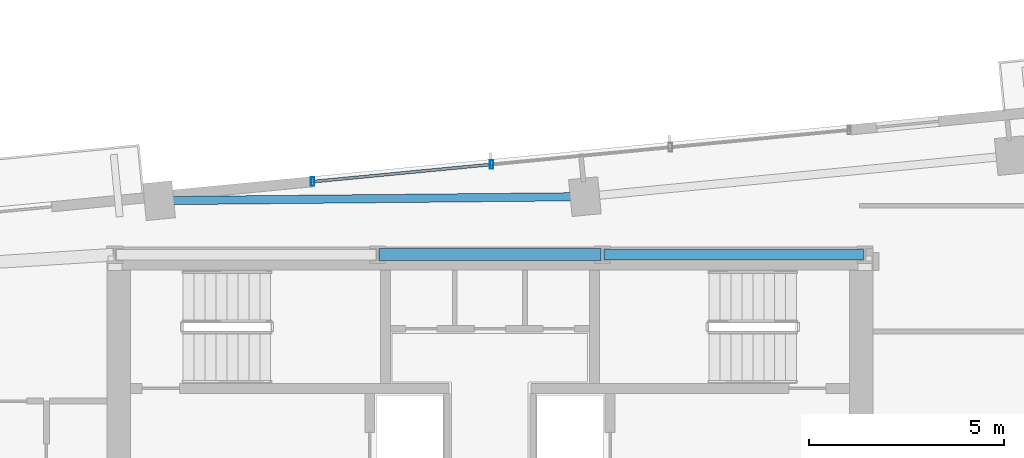
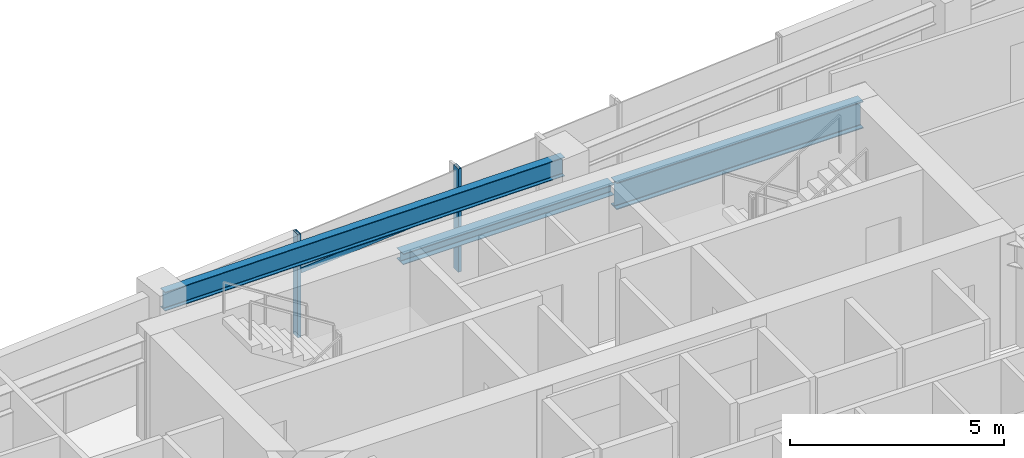
# One storey, part 6 of 18: 3 beams, 3 members, 1 element without a shape of its own.
"""IFC4 building model written with IfcOpenShell, lengths in metres."""

from ifc_helpers import new_model, si_unit, direction, frame, origin, origin_2d, place, context, subcontext, project, spatial, hollow_rectangle, i_section, extrude, source, transform, mapped, material, material_profile, profile_set, type_object, type_shapes, element, aggregate, save


model = new_model("IFC4")

# Units and contexts
model_context = context("Model", 3, precision=1e-05, world=origin(), true_north=direction((0.0, 1.0)))
body_context = subcontext(model_context, "Body", "Model", "MODEL_VIEW")
ifc_project = project(units=[si_unit("LENGTHUNIT", "METRE"), si_unit("AREAUNIT", "SQUARE_METRE"), si_unit("VOLUMEUNIT", "CUBIC_METRE"), si_unit("PLANEANGLEUNIT", "RADIAN"), si_unit("MASSUNIT", "GRAM", prefix="KILO")], contexts=[model_context])

# Site, building, storey
site_placement = place(None, origin())
site = spatial("IfcSite", under=ifc_project, at=site_placement, CompositionType="ELEMENT")
building_placement = place(site_placement, origin())
building = spatial("IfcBuilding", under=site, at=building_placement, Name="Astriad Promenade Condominiums", CompositionType="ELEMENT")
storey_placement = place(building_placement, frame((0.0, 0.0, 179.39990234375)))
storey = spatial("IfcBuildingStorey", under=building, at=storey_placement, Name="L51", CompositionType="ELEMENT", Elevation=179.39990234375)

# Beams
ifc_material_1 = material(Name="Steel ASTM A992 Grade 50", Category="steel")
ifc_material_profile_1 = material_profile(ifc_material_1, i_section(OverallWidth=0.267822265625, OverallDepth=0.76953125, WebThickness=0.015625, FlangeThickness=0.025390625, FilletRadius=0.021484375, at=origin_2d()), Name="W30X132")
ifc_profile_set_1 = profile_set([ifc_material_profile_1], Name="Steel ASTM A992 Grade 50")
beam_type_1 = type_object("IfcBeamType", Name="STEEL FLOOR GIRDER W30X132", PredefinedType="BEAM", material=ifc_profile_set_1)
shared_shape_1 = source(origin(), body_context, "Body", "SweptSolid", [
    extrude(i_section(OverallWidth=0.267822265625, OverallDepth=0.76953125, WebThickness=0.015625, FlangeThickness=0.025390625, FilletRadius=0.021484375, at=origin_2d()), origin(), (0.0, 0.0, 1.0), 6.64013671875),
])
type_shapes(beam_type_1, [shared_shape_1])
beam_1_placement = place(storey_placement, frame((38.919921875, 24.0, 2.55517578125), z_axis=(1.0, 0.0, 0.0), x_axis=(0.0, 1.0, 0.0)))
element("IfcBeam", 1, at=beam_1_placement, inside=storey, type_object=beam_type_1, Name="Core Ring Beam CG-N3-L51", PredefinedType="BEAM", context=body_context, shape_type="MappedRepresentation", body=[
    mapped(shared_shape_1, transform((0.0, 0.0, 0.0), scale=1.0)),
])
ifc_material_profile_2 = material_profile(ifc_material_1, i_section(OverallWidth=0.3046875, OverallDepth=0.307861328125, WebThickness=0.010009765625, FlangeThickness=0.015380859375, FilletRadius=0.01513671875, at=origin_2d()), Name="W12X65")
ifc_profile_set_2 = profile_set([ifc_material_profile_2], Name="Steel ASTM A992 Grade 50")
beam_type_2 = type_object("IfcBeamType", Name="STEEL OPENING LINTEL W12X65", PredefinedType="LINTEL", material=ifc_profile_set_2)
shared_shape_2 = source(origin(), body_context, "Body", "SweptSolid", [
    extrude(i_section(OverallWidth=0.3046875, OverallDepth=0.307861328125, WebThickness=0.010009765625, FlangeThickness=0.015380859375, FilletRadius=0.01513671875, at=origin_2d()), origin(), (0.0, 0.0, 1.0), 5.68017578125),
])
type_shapes(beam_type_2, [shared_shape_2])
beam_2_placement = place(storey_placement, frame((33.159912109375, 24.0, 2.7861328125), z_axis=(1.0, 0.0, 0.0), x_axis=(0.0, 1.0, 0.0)))
element("IfcBeam", 2, at=beam_2_placement, inside=storey, type_object=beam_type_2, Name="Core Ring Beam CG-N2-L51", PredefinedType="LINTEL", context=body_context, shape_type="MappedRepresentation", body=[
    mapped(shared_shape_2, transform((0.0, 0.0, 0.0), scale=1.0)),
])
ifc_material_profile_3 = material_profile(ifc_material_1, i_section(OverallWidth=0.210693359375, OverallDepth=0.53955078125, WebThickness=0.01171875, FlangeThickness=0.018798828125, FilletRadius=0.0166015625, at=origin_2d()), Name="W21X73")
ifc_profile_set_3 = profile_set([ifc_material_profile_3], Name="Steel ASTM A992 Grade 50")
beam_type_3 = type_object("IfcBeamType", Name="STEEL SPANDREL BEAM W21X73", PredefinedType="SPANDREL", material=ifc_profile_set_3)
shared_shape_3 = source(origin(), body_context, "Body", "SweptSolid", [
    extrude(i_section(OverallWidth=0.210693359375, OverallDepth=0.53955078125, WebThickness=0.01171875, FlangeThickness=0.018798828125, FilletRadius=0.0166015625, at=origin_2d()), origin(), (0.0, 0.0, 1.0), 10.820068359375),
])
type_shapes(beam_type_3, [shared_shape_3])
beam_3_placement = place(storey_placement, frame((38.391357421875, 25.482666015625, 2.67041015625), z_axis=(-0.999955308161, -0.009454188553, 0.0), x_axis=(0.009454188553, -0.999955308161, 0.0)))
element("IfcBeam", 3, at=beam_3_placement, inside=storey, type_object=beam_type_3, Name="Perimeter Spandrel Beam SP-N2-L51", PredefinedType="SPANDREL", context=body_context, shape_type="MappedRepresentation", body=[
    mapped(shared_shape_3, transform((0.0, 0.0, 0.0), scale=1.0)),
])

# Curtain wall, members
ifc_material_2 = material(Name="Anodised aluminium Black Dark Glass Unitised", Category="aluminium")
curtain_wall_type = type_object("IfcCurtainWallType", Name="CW-B34-DARK", PredefinedType="USERDEFINED", material=ifc_material_2)
curtain_wall_placement = place(storey_placement, origin())
curtain_wall = element("IfcCurtainWall", 4, at=curtain_wall_placement, inside=storey, type_object=curtain_wall_type, Name="CW-L51-N", ObjectType="UNITISED_CURTAIN_WALL", PredefinedType="USERDEFINED")
ifc_material_3 = material(Name="Anodised aluminium 6063-T6 Black", Category="aluminium")
ifc_material_profile_4 = material_profile(ifc_material_3, hollow_rectangle(XDim=0.0849609375, YDim=0.219970703125, WallThickness=0.0048828125, at=origin_2d()), Name="ALU-MUL-85X220")
ifc_profile_set_4 = profile_set([ifc_material_profile_4], Name="Anodised aluminium 6063-T6 Black")
member_type_1 = type_object("IfcMemberType", Name="MUL-ALU-MUL-85X220", PredefinedType="MULLION", material=ifc_profile_set_4)
shared_shape_4 = source(origin(), body_context, "Body", "SweptSolid", [
    extrude(hollow_rectangle(XDim=0.0849609375, YDim=0.219970703125, WallThickness=0.0048828125, at=origin_2d()), origin(), (0.0, 0.0, 1.0), 2.940185546875),
])
type_shapes(member_type_1, [shared_shape_4])
member_1_placement = place(storey_placement, frame((31.46240234375, 25.866943359375, 0.0), z_axis=(0.0, 0.0, 1.0), x_axis=(1.0, 0.0, 0.0)))
member_1 = element("IfcMember", 5, at=member_1_placement, type_object=member_type_1, Name="CW-L51-N-MUL-00", PredefinedType="MULLION", context=body_context, shape_type="MappedRepresentation", body=[
    mapped(shared_shape_4, transform((0.0, 0.0, 0.0), scale=1.0)),
])
member_2_placement = place(storey_placement, frame((36.041259765625, 26.307861328125, 0.0), z_axis=(0.0, 0.0, 1.0), x_axis=(1.0, 0.0, 0.0)))
member_2 = element("IfcMember", 6, at=member_2_placement, type_object=member_type_1, Name="CW-L51-N-MUL-01", PredefinedType="MULLION", context=body_context, shape_type="MappedRepresentation", body=[
    mapped(shared_shape_4, transform((0.0, 0.0, 0.0), scale=1.0)),
])
ifc_material_profile_5 = material_profile(ifc_material_3, hollow_rectangle(XDim=0.074951171875, YDim=0.14990234375, WallThickness=0.004150390625, at=origin_2d()), Name="ALU-TRN-75X150")
ifc_profile_set_5 = profile_set([ifc_material_profile_5], Name="Anodised aluminium 6063-T6 Black")
member_type_2 = type_object("IfcMemberType", Name="TRN-ALU-TRN-75X150", PredefinedType="USERDEFINED", material=ifc_profile_set_5)
shared_shape_5 = source(origin(), body_context, "Body", "SweptSolid", [
    extrude(hollow_rectangle(XDim=0.074951171875, YDim=0.14990234375, WallThickness=0.004150390625, at=origin_2d()), origin(), (0.0, 0.0, 1.0), 4.60009765625),
])
type_shapes(member_type_2, [shared_shape_5])
member_3_placement = place(storey_placement, frame((31.46240234375, 25.866943359375, 1.822998046875), z_axis=(0.995395697572, 0.095850953336, 0.0), x_axis=(-0.095850953336, 0.995395697572, 0.0)))
member_3 = element("IfcMember", 7, at=member_3_placement, type_object=member_type_2, Name="CW-L51-N-TRN-00-0", ObjectType="TRANSOM", PredefinedType="USERDEFINED", context=body_context, shape_type="MappedRepresentation", body=[
    mapped(shared_shape_5, transform((0.0, 0.0, 0.0), scale=1.0)),
])
aggregate(curtain_wall, [member_1, member_2, member_3])

save(model, "model.ifc")
